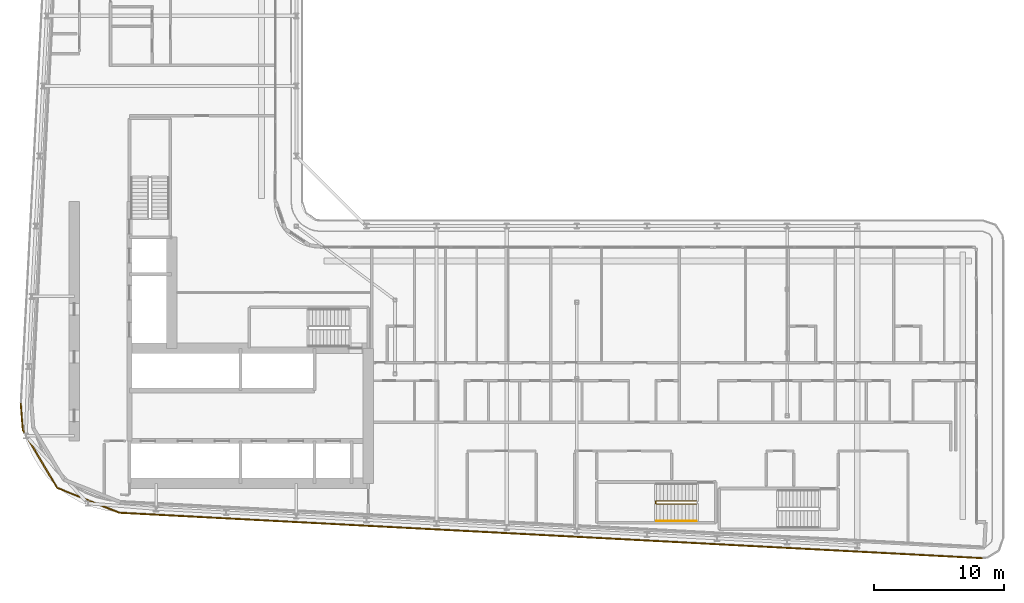
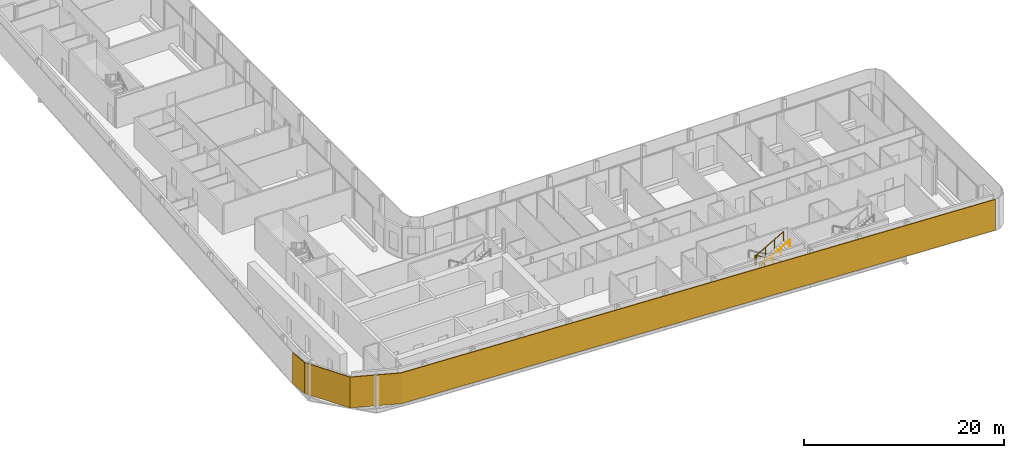
# One storey, part 26 of 30: 2 railings, 1 shading device.
"""IFC4 building model written with IfcOpenShell, lengths in metres."""

from ifc_helpers import new_model, si_unit, direction, frame, origin, origin_2d, place, context, subcontext, project, spatial, polyline, circle, outline, extrude, material, layer, layer_set, type_object, element, save


model = new_model("IFC4")

# Units and contexts
model_context = context("Model", 3, precision=1e-05, world=origin(), true_north=direction((0.0, 1.0)))
body_context = subcontext(model_context, "Body", "Model", "MODEL_VIEW")
ifc_project = project(units=[si_unit("LENGTHUNIT", "METRE"), si_unit("AREAUNIT", "SQUARE_METRE"), si_unit("VOLUMEUNIT", "CUBIC_METRE"), si_unit("PLANEANGLEUNIT", "RADIAN"), si_unit("MASSUNIT", "GRAM", prefix="KILO")], contexts=[model_context])

# Site, building, storey
site_placement = place(None, origin())
site = spatial("IfcSite", under=ifc_project, at=site_placement, CompositionType="ELEMENT")
building_placement = place(site_placement, origin())
building = spatial("IfcBuilding", under=site, at=building_placement, Name="Kheshtan School and Residences Tower", CompositionType="ELEMENT")
storey_placement = place(building_placement, frame((0.0, 0.0, 199.39990234375)))
storey = spatial("IfcBuildingStorey", under=building, at=storey_placement, Name="L47", CompositionType="ELEMENT", Elevation=199.39990234375)

# Shading device
ifc_material_1 = material(Name="Terracotta baguette, extruded ceramic", Category="masonry")
ifc_layer = layer(ifc_material_1, 0.10009765625)
ifc_layer_set = layer_set([ifc_layer], Name="Ledge screen, terracotta baguettes")
shading_device_type = type_object("IfcShadingDeviceType", Name="Ledge screen, terracotta baguettes", PredefinedType="USERDEFINED", material=ifc_layer_set)
shading_device_placement = place(storey_placement, origin())
element("IfcShadingDevice", 1, at=shading_device_placement, inside=storey, type_object=shading_device_type, Name="Screen L47 3", ObjectType="BAGUETTE", PredefinedType="USERDEFINED", context=body_context, shape_type="SweptSolid", body=[
    extrude(outline(polyline([(100.4208984375, 20.0830078125), (33.989013671875, 23.580078125), (29.2119140625, 25.486083984375), (26.583984375, 29.906982421875), (26.419921875, 31.989013671875), (26.320068359375, 31.98095703125), (26.486083984375, 29.8759765625), (29.14306640625, 25.406005859375), (33.967041015625, 23.48095703125), (100.416015625, 19.98291015625), (100.4208984375, 20.0830078125)])), origin(), (0.0, 0.0, 1.0), 3.75),
])

# Railings
ifc_material_2 = material(Name="Stainless steel balustrade", Category="steel")
railing_type_1 = type_object("IfcRailingType", Name="Stair guard 1100", PredefinedType="GUARDRAIL", material=ifc_material_2)
railing_1_placement = place(storey_placement, frame((78.409912109375, 24.449951171875, 0.16259765625)))
element("IfcRailing", 2, at=railing_1_placement, inside=storey, type_object=railing_type_1, Name="L47 ST5 stair guard 1", PredefinedType="GUARDRAIL", context=body_context, shape_type="SweptSolid", body=[
    extrude(circle(Radius=0.02392578125, at=origin_2d()), frame((0.0, 0.0, 1.076171875), z_axis=(-0.864873446163, 0.0, 0.501989962173), x_axis=(0.0, -1.0, 0.0)), (0.0, 0.0, 1.0), 3.56103515625),
    extrude(circle(Radius=0.02392578125, at=origin_2d()), frame((-3.079833984375, 0.0, 2.86376953125), z_axis=(-0.707106781187, -0.707106781187, 0.0), x_axis=(0.707106781187, -0.707106781187, 0.0)), (0.0, 0.0, 1.0), 0.07080078125),
    extrude(circle(Radius=0.02392578125, at=origin_2d()), frame((-3.1298828125, -0.050048828125, 2.86376953125), z_axis=(0.0, -1.0, 0.0), x_axis=(1.0, 0.0, 0.0)), (0.0, 0.0, 1.0), 0.14990234375),
    extrude(circle(Radius=0.02392578125, at=origin_2d()), frame((-3.1298828125, -0.199951171875, 2.86376953125), z_axis=(0.282583949758, -0.282583949758, 0.916674763849), x_axis=(0.707106781187, 0.707106781187, 0.0)), (0.0, 0.0, 1.0), 0.177001953125),
    extrude(circle(Radius=0.02392578125, at=origin_2d()), frame((-3.079833984375, -0.25, 3.02587890625), z_axis=(0.864873446163, 0.0, 0.501989962173), x_axis=(0.0, 1.0, 0.0)), (0.0, 0.0, 1.0), 3.56103515625),
    extrude(circle(Radius=0.02099609375, at=origin_2d()), origin(), (0.0, 0.0, 1.0), 1.052001953125),
    extrude(circle(Radius=0.02099609375, at=origin_2d()), frame((-1.026611328125, 0.0, 0.595947265625)), (0.0, 0.0, 1.0), 1.052001953125),
    extrude(circle(Radius=0.02099609375, at=origin_2d()), frame((-2.05322265625, 0.0, 1.191650390625)), (0.0, 0.0, 1.0), 1.052001953125),
    extrude(circle(Radius=0.02099609375, at=origin_2d()), frame((-3.079833984375, 0.0, 1.78759765625)), (0.0, 0.0, 1.0), 1.052001953125),
    extrude(circle(Radius=0.02099609375, at=origin_2d()), frame((-3.1298828125, -0.050048828125, 1.78759765625)), (0.0, 0.0, 1.0), 1.052001953125),
    extrude(circle(Radius=0.02099609375, at=origin_2d()), frame((-3.1298828125, -0.199951171875, 1.78759765625)), (0.0, 0.0, 1.0), 1.052001953125),
    extrude(circle(Radius=0.02099609375, at=origin_2d()), frame((-3.079833984375, -0.25, 1.949951171875)), (0.0, 0.0, 1.0), 1.052001953125),
    extrude(circle(Radius=0.02099609375, at=origin_2d()), frame((-2.05322265625, -0.25, 2.5458984375)), (0.0, 0.0, 1.0), 1.052001953125),
    extrude(circle(Radius=0.02099609375, at=origin_2d()), frame((-1.026611328125, -0.25, 3.1416015625)), (0.0, 0.0, 1.0), 1.052001953125),
    extrude(circle(Radius=0.02099609375, at=origin_2d()), frame((0.0, -0.25, 3.737548828125)), (0.0, 0.0, 1.0), 1.052001953125),
])
ifc_material_3 = material(Name="Stainless steel handrail", Category="steel")
railing_type_2 = type_object("IfcRailingType", Name="Stair handrail 900", PredefinedType="HANDRAIL", material=ifc_material_3)
railing_2_placement = place(storey_placement, frame((75.330078125, 22.89990234375, 2.112548828125)))
element("IfcRailing", 3, at=railing_2_placement, inside=storey, type_object=railing_type_2, Name="L47 ST5 stair handrail 2", PredefinedType="HANDRAIL", context=body_context, shape_type="SweptSolid", body=[
    extrude(circle(Radius=0.02392578125, at=origin_2d()), frame((0.0, 0.0, 0.8759765625), z_axis=(0.864873446163, 0.0, 0.501989962173), x_axis=(0.0, 1.0, 0.0)), (0.0, 0.0, 1.0), 3.56103515625),
    extrude(circle(Radius=0.02099609375, at=origin_2d()), origin(), (0.0, 0.0, 1.0), 0.851806640625),
    extrude(circle(Radius=0.02099609375, at=origin_2d()), frame((1.026611328125, 0.0, 0.595947265625)), (0.0, 0.0, 1.0), 0.851806640625),
    extrude(circle(Radius=0.02099609375, at=origin_2d()), frame((2.05322265625, 0.0, 1.191650390625)), (0.0, 0.0, 1.0), 0.851806640625),
    extrude(circle(Radius=0.02099609375, at=origin_2d()), frame((3.079833984375, 0.0, 1.78759765625)), (0.0, 0.0, 1.0), 0.851806640625),
])

save(model, "model.ifc")
